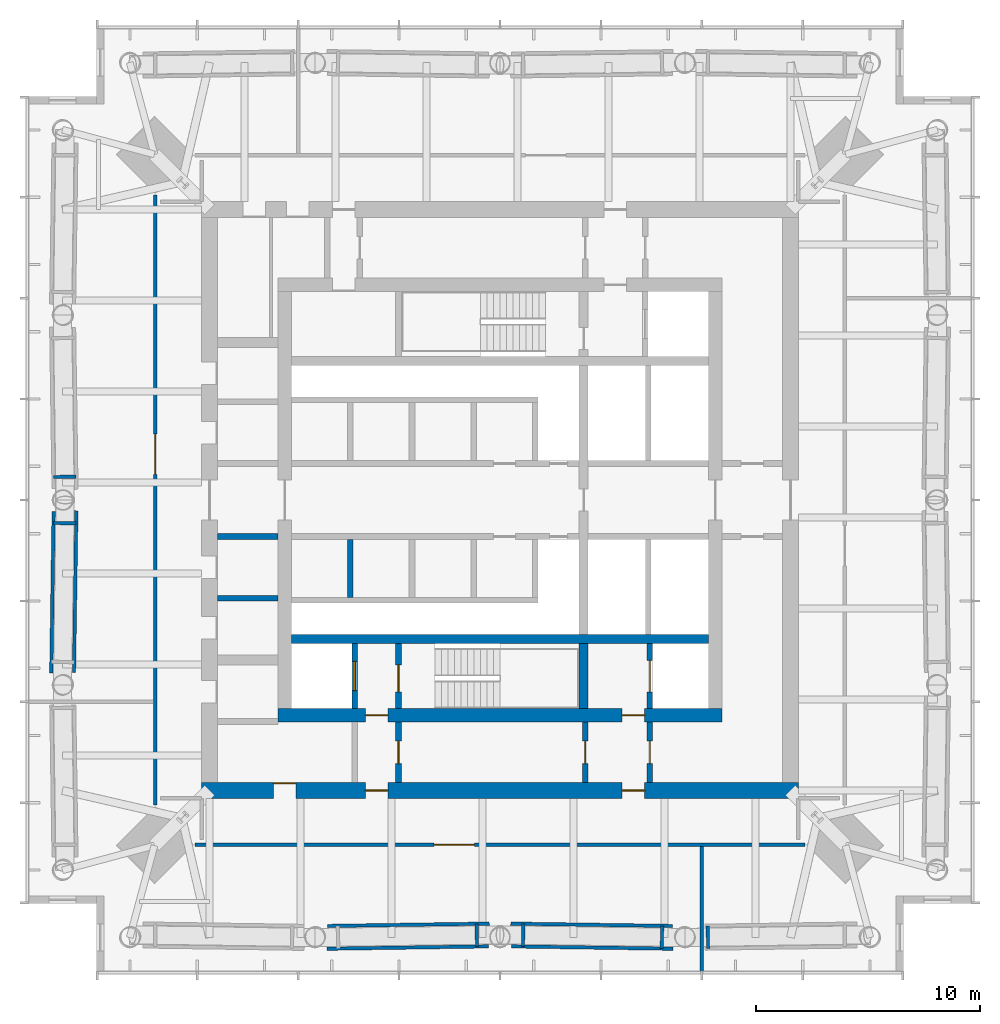
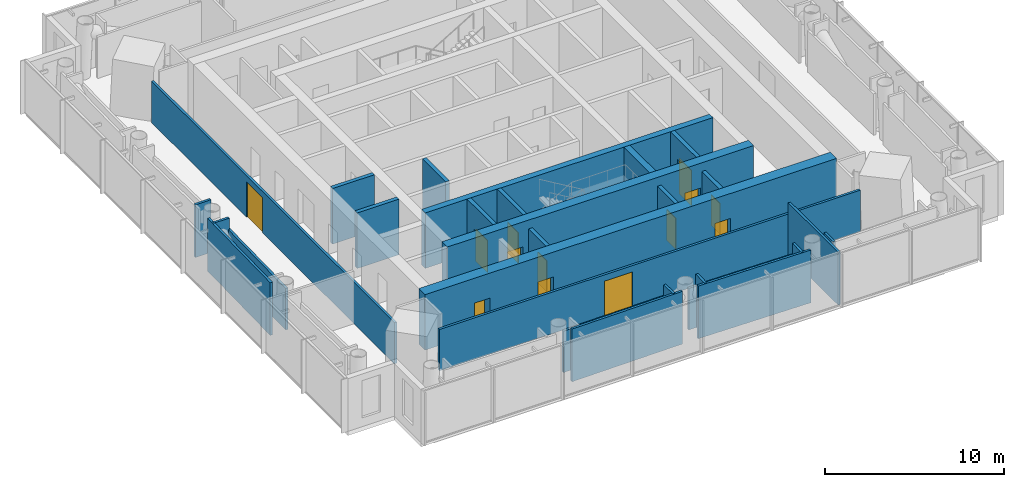
# One storey, part 5 of 9: 28 walls, 13 doors, 13 openings.
"""IFC4 building model written with IfcOpenShell, lengths in metres."""

from ifc_helpers import new_model, si_unit, direction, frame, frame_2d, origin, place, context, subcontext, project, spatial, rectangle, extrude, material, layer, layer_set, type_object, element, fill, save


model = new_model("IFC4")

# Units and contexts
model_context = context("Model", 3, precision=1e-05, world=origin(), true_north=direction((0.0, 1.0)))
body_context = subcontext(model_context, "Body", "Model", "MODEL_VIEW")
ifc_project = project(units=[si_unit("LENGTHUNIT", "METRE"), si_unit("AREAUNIT", "SQUARE_METRE"), si_unit("VOLUMEUNIT", "CUBIC_METRE"), si_unit("PLANEANGLEUNIT", "RADIAN"), si_unit("MASSUNIT", "GRAM", prefix="KILO")], contexts=[model_context])

# Site, building, storey
site_placement = place(None, origin())
site = spatial("IfcSite", under=ifc_project, at=site_placement, CompositionType="ELEMENT")
building_placement = place(site_placement, origin())
building = spatial("IfcBuilding", under=site, at=building_placement, Name="Ostroluk Exchange", CompositionType="ELEMENT")
storey_placement = place(building_placement, frame((0.0, 0.0, 161.60009765625)))
storey = spatial("IfcBuildingStorey", under=building, at=storey_placement, Name="L41", CompositionType="ELEMENT", Elevation=161.60009765625)

# Wall, opening, door
ifc_material_1 = material(Name="Concrete blockwork", Category="masonry")
ifc_layer_1 = layer(ifc_material_1, 0.25)
ifc_layer_set_1 = layer_set([ifc_layer_1], Name="Blockwork stair enclosure wall 250")
wall_type_1 = type_object("IfcWallType", Name="Blockwork stair enclosure wall 250", PredefinedType="SOLIDWALL", material=ifc_layer_set_1)
wall_1_placement = place(storey_placement, frame((40.47509765625, 33.39990234375, 0.0), z_axis=(0.0, 0.0, 1.0), x_axis=(0.0, 1.0, 0.0)))
wall_1 = element("IfcWall", 1, at=wall_1_placement, inside=storey, type_object=wall_type_1, Name="Fire lobby enclosure wall", PredefinedType="SOLIDWALL", context=body_context, shape_type="SweptSolid", body=[
    extrude(rectangle(XDim=2.7001953125, YDim=0.25, at=frame_2d((1.35009765625, 0.0))), origin(), (0.0, 0.0, 1.0), 3.199951171875),
])
opening_1_placement = place(wall_1_placement, frame((0.85009765625, 0.0, 0.0)))
opening_1 = element("IfcOpeningElement", 2, at=opening_1_placement, cuts=wall_1, Name="Opening FD60", PredefinedType="OPENING", context=body_context, shape_type="SweptSolid", body=[
    extrude(rectangle(XDim=1.0, YDim=2.10009765625, at=frame_2d((0.5, 1.050048828125))), frame((0.0, 0.135009765625, 0.0), z_axis=(0.0, -1.0, 0.0), x_axis=(1.0, 0.0, 0.0)), (0.0, 0.0, 1.0), 0.27001953125),
])
ifc_material_2 = material(Name="Steel", Category="steel")
door_type_1 = type_object("IfcDoorType", Name="Fire door EI 60 1000 x 2100", OperationType="SINGLE_SWING_LEFT", PredefinedType="DOOR", material=ifc_material_2)
door_1_placement = place(opening_1_placement, origin())
door_1 = element("IfcDoor", 3, at=door_1_placement, inside=storey, type_object=door_type_1, Name="Core link door", OperationType="SINGLE_SWING_LEFT", OverallHeight=2.10009765625, OverallWidth=1.0, PredefinedType="DOOR", context=body_context, shape_type="SweptSolid", body=[
    extrude(rectangle(XDim=1.0, YDim=2.10009765625, at=frame_2d((0.5, 1.050048828125))), frame((0.0, 0.02490234375, 0.0), z_axis=(0.0, -1.0, 0.0), x_axis=(1.0, 0.0, 0.0)), (0.0, 0.0, 1.0), 0.050048828125),
])
fill(opening_1, door_1)

wall_2_placement = place(storey_placement, frame((48.804931640625, 33.39990234375, 0.0), z_axis=(0.0, 0.0, 1.0), x_axis=(0.0, 1.0, 0.0)))
wall_2 = element("IfcWall", 4, at=wall_2_placement, inside=storey, type_object=wall_type_1, Name="Service lobby enclosure wall", PredefinedType="SOLIDWALL", context=body_context, shape_type="SweptSolid", body=[
    extrude(rectangle(XDim=2.7001953125, YDim=0.25, at=frame_2d((1.35009765625, 0.0))), origin(), (0.0, 0.0, 1.0), 3.199951171875),
])
opening_2_placement = place(wall_2_placement, frame((0.85009765625, 0.0, 0.0)))
opening_2 = element("IfcOpeningElement", 5, at=opening_2_placement, cuts=wall_2, Name="Opening FD60", PredefinedType="OPENING", context=body_context, shape_type="SweptSolid", body=[
    extrude(rectangle(XDim=1.0, YDim=2.10009765625, at=frame_2d((0.5, 1.050048828125))), frame((0.0, 0.135009765625, 0.0), z_axis=(0.0, -1.0, 0.0), x_axis=(1.0, 0.0, 0.0)), (0.0, 0.0, 1.0), 0.27001953125),
])
door_2_placement = place(opening_2_placement, origin())
door_2 = element("IfcDoor", 6, at=door_2_placement, inside=storey, type_object=door_type_1, Name="Core link door", OperationType="SINGLE_SWING_LEFT", OverallHeight=2.10009765625, OverallWidth=1.0, PredefinedType="DOOR", context=body_context, shape_type="SweptSolid", body=[
    extrude(rectangle(XDim=1.0, YDim=2.10009765625, at=frame_2d((0.5, 1.050048828125))), frame((0.0, 0.02490234375, 0.0), z_axis=(0.0, -1.0, 0.0), x_axis=(1.0, 0.0, 0.0)), (0.0, 0.0, 1.0), 0.050048828125),
])
fill(opening_2, door_2)

wall_3_placement = place(storey_placement, frame((51.675048828125, 33.39990234375, 0.0), z_axis=(0.0, 0.0, 1.0), x_axis=(0.0, 1.0, 0.0)))
wall_3 = element("IfcWall", 7, at=wall_3_placement, inside=storey, type_object=wall_type_1, Name="Service lobby enclosure wall", PredefinedType="SOLIDWALL", context=body_context, shape_type="SweptSolid", body=[
    extrude(rectangle(XDim=2.7001953125, YDim=0.25, at=frame_2d((1.35009765625, 0.0))), origin(), (0.0, 0.0, 1.0), 3.199951171875),
])
opening_3_placement = place(wall_3_placement, frame((0.85009765625, 0.0, 0.0)))
opening_3 = element("IfcOpeningElement", 8, at=opening_3_placement, cuts=wall_3, Name="Opening FD60", PredefinedType="OPENING", context=body_context, shape_type="SweptSolid", body=[
    extrude(rectangle(XDim=1.0, YDim=2.10009765625, at=frame_2d((0.5, 1.050048828125))), frame((0.0, 0.135009765625, 0.0), z_axis=(0.0, -1.0, 0.0), x_axis=(1.0, 0.0, 0.0)), (0.0, 0.0, 1.0), 0.27001953125),
])
door_3_placement = place(opening_3_placement, origin())
door_3 = element("IfcDoor", 9, at=door_3_placement, inside=storey, type_object=door_type_1, Name="Core link door", OperationType="SINGLE_SWING_LEFT", OverallHeight=2.10009765625, OverallWidth=1.0, PredefinedType="DOOR", context=body_context, shape_type="SweptSolid", body=[
    extrude(rectangle(XDim=1.0, YDim=2.10009765625, at=frame_2d((0.5, 1.050048828125))), frame((0.0, 0.02490234375, 0.0), z_axis=(0.0, -1.0, 0.0), x_axis=(1.0, 0.0, 0.0)), (0.0, 0.0, 1.0), 0.050048828125),
])
fill(opening_3, door_3)

# Walls
ifc_material_3 = material(Name="Concrete C50/60", Category="concrete")
ifc_layer_2 = layer(ifc_material_3, 0.39990234375)
ifc_layer_set_2 = layer_set([ifc_layer_2], Name="Core cross wall 400 C50/60")
wall_type_2 = type_object("IfcWallType", Name="Core cross wall 400 C50/60", PredefinedType="SHEAR", material=ifc_layer_set_2)
wall_4_placement = place(storey_placement, frame((35.699951171875, 39.800048828125, 0.0), z_axis=(0.0, 0.0, 1.0), x_axis=(1.0, 0.0, 0.0)))
element("IfcWall", 10, at=wall_4_placement, inside=storey, type_object=wall_type_2, Name="T1 core wall XS", PredefinedType="SHEAR", context=body_context, shape_type="SweptSolid", body=[
    extrude(rectangle(XDim=18.60009765625, YDim=0.39990234375, at=frame_2d((9.300048828125, 0.0))), origin(), (0.0, 0.0, 1.0), 3.7998046875),
])
wall_5_placement = place(storey_placement, frame((48.72998046875, 36.699951171875, 0.0), z_axis=(0.0, 0.0, 1.0), x_axis=(0.0, 1.0, 0.0)))
element("IfcWall", 11, at=wall_5_placement, inside=storey, type_object=wall_type_2, Name="T1 core wall YE1", PredefinedType="SHEAR", context=body_context, shape_type="SweptSolid", body=[
    extrude(rectangle(XDim=2.900146484375, YDim=0.39990234375, at=frame_2d((1.4501953125, 0.0))), origin(), (0.0, 0.0, 1.0), 3.7998046875),
])

# Wall, opening, door
ifc_material_4 = material(Name="Concrete C40/50", Category="concrete")
ifc_layer_3 = layer(ifc_material_4, 0.25)
ifc_layer_set_3 = layer_set([ifc_layer_3], Name="Core shaft wall 250")
wall_type_3 = type_object("IfcWallType", Name="Core shaft wall 250", PredefinedType="SHEAR", material=ifc_layer_set_3)
wall_6_placement = place(storey_placement, frame((38.52490234375, 36.699951171875, 0.0), z_axis=(0.0, 0.0, 1.0), x_axis=(0.0, 1.0, 0.0)))
wall_6 = element("IfcWall", 12, at=wall_6_placement, inside=storey, type_object=wall_type_3, Name="Firefighting lift shaft wall", PredefinedType="SHEAR", context=body_context, shape_type="SweptSolid", body=[
    extrude(rectangle(XDim=2.900146484375, YDim=0.25, at=frame_2d((1.4501953125, 0.0))), origin(), (0.0, 0.0, 1.0), 3.7998046875),
])
opening_4_placement = place(wall_6_placement, frame((0.800048828125, 0.0, 0.0)))
opening_4 = element("IfcOpeningElement", 13, at=opening_4_placement, cuts=wall_6, Name="Opening LD2", PredefinedType="OPENING", context=body_context, shape_type="SweptSolid", body=[
    extrude(rectangle(XDim=1.300048828125, YDim=2.199951171875, at=frame_2d((0.64990234375, 1.10009765625))), frame((0.0, 0.135009765625, 0.0), z_axis=(0.0, -1.0, 0.0), x_axis=(1.0, 0.0, 0.0)), (0.0, 0.0, 1.0), 0.27001953125),
])
ifc_material_5 = material(Name="Stainless steel", Category="steel")
door_type_2 = type_object("IfcDoorType", Name="Lift landing door E 60 1300 x 2200", OperationType="DOUBLE_DOOR_SLIDING", PredefinedType="DOOR", material=ifc_material_5)
door_4_placement = place(opening_4_placement, origin())
door_4 = element("IfcDoor", 14, at=door_4_placement, inside=storey, type_object=door_type_2, Name="Lift FL1 landing door", OperationType="DOUBLE_DOOR_SLIDING", OverallHeight=2.199951171875, OverallWidth=1.300048828125, PredefinedType="DOOR", context=body_context, shape_type="SweptSolid", body=[
    extrude(rectangle(XDim=1.300048828125, YDim=2.199951171875, at=frame_2d((0.64990234375, 1.10009765625))), frame((0.0, 0.02490234375, 0.0), z_axis=(0.0, -1.0, 0.0), x_axis=(1.0, 0.0, 0.0)), (0.0, 0.0, 1.0), 0.050048828125),
])
fill(opening_4, door_4)

wall_7_placement = place(storey_placement, frame((40.47509765625, 36.699951171875, 0.0), z_axis=(0.0, 0.0, 1.0), x_axis=(0.0, 1.0, 0.0)))
wall_7 = element("IfcWall", 15, at=wall_7_placement, inside=storey, type_object=wall_type_3, Name="Stair shaft wall", PredefinedType="SHEAR", context=body_context, shape_type="SweptSolid", body=[
    extrude(rectangle(XDim=2.900146484375, YDim=0.25, at=frame_2d((1.4501953125, 0.0))), origin(), (0.0, 0.0, 1.0), 3.7998046875),
])
opening_5_placement = place(wall_7_placement, frame((0.75, 0.0, 0.0)))
opening_5 = element("IfcOpeningElement", 16, at=opening_5_placement, cuts=wall_7, Name="Opening FD60S", PredefinedType="OPENING", context=body_context, shape_type="SweptSolid", body=[
    extrude(rectangle(XDim=1.199951171875, YDim=2.10009765625, at=frame_2d((0.60009765625, 1.050048828125))), frame((0.0, 0.135009765625, 0.0), z_axis=(0.0, -1.0, 0.0), x_axis=(1.0, 0.0, 0.0)), (0.0, 0.0, 1.0), 0.27001953125),
])
ifc_material_6 = material(Name="Steel", Category="steel")
door_type_3 = type_object("IfcDoorType", Name="Stair door EI 60 1200 x 2100", OperationType="SINGLE_SWING_LEFT", PredefinedType="DOOR", material=ifc_material_6)
door_5_placement = place(opening_5_placement, origin())
door_5 = element("IfcDoor", 17, at=door_5_placement, inside=storey, type_object=door_type_3, Name="Stair T1-S1 door", OperationType="SINGLE_SWING_LEFT", OverallHeight=2.10009765625, OverallWidth=1.199951171875, PredefinedType="DOOR", context=body_context, shape_type="SweptSolid", body=[
    extrude(rectangle(XDim=1.199951171875, YDim=2.10009765625, at=frame_2d((0.60009765625, 1.050048828125))), frame((0.0, 0.02490234375, 0.0), z_axis=(0.0, -1.0, 0.0), x_axis=(1.0, 0.0, 0.0)), (0.0, 0.0, 1.0), 0.050048828125),
])
fill(opening_5, door_5)

wall_8_placement = place(storey_placement, frame((51.675048828125, 36.699951171875, 0.0), z_axis=(0.0, 0.0, 1.0), x_axis=(0.0, 1.0, 0.0)))
wall_8 = element("IfcWall", 18, at=wall_8_placement, inside=storey, type_object=wall_type_3, Name="Service lift shaft wall", PredefinedType="SHEAR", context=body_context, shape_type="SweptSolid", body=[
    extrude(rectangle(XDim=2.900146484375, YDim=0.25, at=frame_2d((1.4501953125, 0.0))), origin(), (0.0, 0.0, 1.0), 3.7998046875),
])
opening_6_placement = place(wall_8_placement, frame((0.75, 0.0, 0.0)))
opening_6 = element("IfcOpeningElement", 19, at=opening_6_placement, cuts=wall_8, Name="Opening LD3", PredefinedType="OPENING", context=body_context, shape_type="SweptSolid", body=[
    extrude(rectangle(XDim=1.39990234375, YDim=2.39990234375, at=frame_2d((0.699951171875, 1.199951171875))), frame((0.0, 0.135009765625, 0.0), z_axis=(0.0, -1.0, 0.0), x_axis=(1.0, 0.0, 0.0)), (0.0, 0.0, 1.0), 0.27001953125),
])
ifc_material_7 = material(Name="Stainless steel", Category="steel")
door_type_4 = type_object("IfcDoorType", Name="Goods lift landing door E 60 1400 x 2400", OperationType="DOUBLE_DOOR_SLIDING", PredefinedType="DOOR", material=ifc_material_7)
door_6_placement = place(opening_6_placement, origin())
door_6 = element("IfcDoor", 20, at=door_6_placement, inside=storey, type_object=door_type_4, Name="Lift SL1 landing door", OperationType="DOUBLE_DOOR_SLIDING", OverallHeight=2.39990234375, OverallWidth=1.39990234375, PredefinedType="DOOR", context=body_context, shape_type="SweptSolid", body=[
    extrude(rectangle(XDim=1.39990234375, YDim=2.39990234375, at=frame_2d((0.699951171875, 1.199951171875))), frame((0.0, 0.02490234375, 0.0), z_axis=(0.0, -1.0, 0.0), x_axis=(1.0, 0.0, 0.0)), (0.0, 0.0, 1.0), 0.050048828125),
])
fill(opening_6, door_6)

# Walls
wall_9_placement = place(storey_placement, frame((38.324951171875, 44.25, 0.0), z_axis=(0.0, 0.0, 1.0), x_axis=(0.0, -1.0, 0.0)))
element("IfcWall", 21, at=wall_9_placement, inside=storey, type_object=wall_type_3, Name="Lift shaft wall", PredefinedType="SHEAR", context=body_context, shape_type="SweptSolid", body=[
    extrude(rectangle(XDim=2.60009765625, YDim=0.25, at=frame_2d((1.300048828125, 0.0))), origin(), (0.0, 0.0, 1.0), 3.7998046875),
])
for number, where, z_axis, x_axis, name in (
    (22, (32.39990234375, 41.625, 0.0), (0.0, 0.0, 1.0), (1.0, 0.0, 0.0), "Lift shaft wall"),
    (23, (32.39990234375, 44.375, 0.0), (0.0, 0.0, 1.0), (1.0, 0.0, 0.0), "Lift shaft wall"),
):
    element("IfcWall", number, at=place(storey_placement, frame(where, z_axis=z_axis, x_axis=x_axis)), inside=storey, type_object=wall_type_3, Name=name, PredefinedType="SHEAR", context=body_context, shape_type="SweptSolid", body=[
        extrude(rectangle(XDim=2.7001953125, YDim=0.25, at=frame_2d((1.35009765625, 0.0))), origin(), (0.0, 0.0, 1.0), 3.7998046875),
    ])

# Wall, openings, doors
ifc_material_8 = material(Name="Concrete C50/60", Category="concrete")
ifc_layer_4 = layer(ifc_material_8, 0.60009765625)
ifc_layer_set_4 = layer_set([ifc_layer_4], Name="Core wall 600 C50/60")
wall_type_4 = type_object("IfcWallType", Name="Core wall 600 C50/60", PredefinedType="SHEAR", material=ifc_layer_set_4)
wall_10_placement = place(storey_placement, frame((35.10009765625, 36.39990234375, 0.0), z_axis=(0.0, 0.0, 1.0), x_axis=(1.0, 0.0, 0.0)))
wall_10 = element("IfcWall", 24, at=wall_10_placement, inside=storey, type_object=wall_type_4, Name="T1 core wall S", PredefinedType="SHEAR", context=body_context, shape_type="SweptSolid", body=[
    extrude(rectangle(XDim=19.7998046875, YDim=0.60009765625, at=frame_2d((9.89990234375, 0.0))), origin(), (0.0, 0.0, 1.0), 3.7998046875),
])
opening_7_placement = place(wall_10_placement, frame((3.89990234375, 0.0, 0.0)))
opening_7 = element("IfcOpeningElement", 25, at=opening_7_placement, cuts=wall_10, Name="Opening FD60", PredefinedType="OPENING", context=body_context, shape_type="SweptSolid", body=[
    extrude(rectangle(XDim=1.0, YDim=2.10009765625, at=frame_2d((0.5, 1.050048828125))), frame((0.0, 0.31005859375, 0.0), z_axis=(0.0, -1.0, 0.0), x_axis=(1.0, 0.0, 0.0)), (0.0, 0.0, 1.0), 0.6201171875),
])
opening_8_placement = place(wall_10_placement, frame((15.35009765625, 0.0, 0.0)))
opening_8 = element("IfcOpeningElement", 26, at=opening_8_placement, cuts=wall_10, Name="Opening FD60", PredefinedType="OPENING", context=body_context, shape_type="SweptSolid", body=[
    extrude(rectangle(XDim=1.0, YDim=2.10009765625, at=frame_2d((0.5, 1.050048828125))), frame((0.0, 0.31005859375, 0.0), z_axis=(0.0, -1.0, 0.0), x_axis=(1.0, 0.0, 0.0)), (0.0, 0.0, 1.0), 0.6201171875),
])
door_7_placement = place(opening_7_placement, origin())
door_7 = element("IfcDoor", 27, at=door_7_placement, inside=storey, type_object=door_type_1, Name="Firefighting lobby door", OperationType="SINGLE_SWING_LEFT", OverallHeight=2.10009765625, OverallWidth=1.0, PredefinedType="DOOR", context=body_context, shape_type="SweptSolid", body=[
    extrude(rectangle(XDim=1.0, YDim=2.10009765625, at=frame_2d((0.5, 1.050048828125))), frame((0.0, 0.02490234375, 0.0), z_axis=(0.0, -1.0, 0.0), x_axis=(1.0, 0.0, 0.0)), (0.0, 0.0, 1.0), 0.050048828125),
])
fill(opening_7, door_7)
door_8_placement = place(opening_8_placement, origin())
door_8 = element("IfcDoor", 28, at=door_8_placement, inside=storey, type_object=door_type_1, Name="Service lobby door", OperationType="SINGLE_SWING_RIGHT", OverallHeight=2.10009765625, OverallWidth=1.0, PredefinedType="DOOR", context=body_context, shape_type="SweptSolid", body=[
    extrude(rectangle(XDim=1.0, YDim=2.10009765625, at=frame_2d((0.5, 1.050048828125))), frame((0.0, 0.02490234375, 0.0), z_axis=(0.0, -1.0, 0.0), x_axis=(1.0, 0.0, 0.0)), (0.0, 0.0, 1.0), 0.050048828125),
])
fill(opening_8, door_8)

ifc_material_9 = material(Name="Concrete C50/60", Category="concrete")
ifc_layer_5 = layer(ifc_material_9, 0.699951171875)
ifc_layer_set_5 = layer_set([ifc_layer_5], Name="Core wall 700 C50/60")
wall_type_5 = type_object("IfcWallType", Name="Core wall 700 C50/60", PredefinedType="SHEAR", material=ifc_layer_set_5)
wall_11_placement = place(storey_placement, frame((31.699951171875, 33.050048828125, 0.0), z_axis=(0.0, 0.0, 1.0), x_axis=(1.0, 0.0, 0.0)))
wall_11 = element("IfcWall", 29, at=wall_11_placement, inside=storey, type_object=wall_type_5, Name="T1 core wall RS", PredefinedType="SHEAR", context=body_context, shape_type="SweptSolid", body=[
    extrude(rectangle(XDim=26.60009765625, YDim=0.699951171875, at=frame_2d((13.300048828125, 0.0))), origin(), (0.0, 0.0, 1.0), 3.7998046875),
])
opening_9_placement = place(wall_11_placement, frame((7.300048828125, 0.0, 0.0)))
opening_9 = element("IfcOpeningElement", 30, at=opening_9_placement, cuts=wall_11, Name="Opening FD60", PredefinedType="OPENING", context=body_context, shape_type="SweptSolid", body=[
    extrude(rectangle(XDim=1.0, YDim=2.10009765625, at=frame_2d((0.5, 1.050048828125))), frame((0.0, 0.35986328125, 0.0), z_axis=(0.0, -1.0, 0.0), x_axis=(1.0, 0.0, 0.0)), (0.0, 0.0, 1.0), 0.719970703125),
])
opening_10_placement = place(wall_11_placement, frame((18.75, 0.0, 0.0)))
opening_10 = element("IfcOpeningElement", 31, at=opening_10_placement, cuts=wall_11, Name="Opening FD60", PredefinedType="OPENING", context=body_context, shape_type="SweptSolid", body=[
    extrude(rectangle(XDim=1.0, YDim=2.10009765625, at=frame_2d((0.5, 1.050048828125))), frame((0.0, 0.35986328125, 0.0), z_axis=(0.0, -1.0, 0.0), x_axis=(1.0, 0.0, 0.0)), (0.0, 0.0, 1.0), 0.719970703125),
])
opening_11_placement = place(wall_11_placement, frame((3.199951171875, 0.0, 0.0)))
opening_11 = element("IfcOpeningElement", 32, at=opening_11_placement, cuts=wall_11, Name="Opening FD60", PredefinedType="OPENING", context=body_context, shape_type="SweptSolid", body=[
    extrude(rectangle(XDim=1.0, YDim=2.10009765625, at=frame_2d((0.5, 1.050048828125))), frame((0.0, 0.35986328125, 0.0), z_axis=(0.0, -1.0, 0.0), x_axis=(1.0, 0.0, 0.0)), (0.0, 0.0, 1.0), 0.719970703125),
])
door_9_placement = place(opening_9_placement, origin())
door_9 = element("IfcDoor", 33, at=door_9_placement, inside=storey, type_object=door_type_1, Name="Firefighting lobby door", OperationType="SINGLE_SWING_LEFT", OverallHeight=2.10009765625, OverallWidth=1.0, PredefinedType="DOOR", context=body_context, shape_type="SweptSolid", body=[
    extrude(rectangle(XDim=1.0, YDim=2.10009765625, at=frame_2d((0.5, 1.050048828125))), frame((0.0, 0.02490234375, 0.0), z_axis=(0.0, -1.0, 0.0), x_axis=(1.0, 0.0, 0.0)), (0.0, 0.0, 1.0), 0.050048828125),
])
fill(opening_9, door_9)
door_10_placement = place(opening_10_placement, origin())
door_10 = element("IfcDoor", 34, at=door_10_placement, inside=storey, type_object=door_type_1, Name="Service lobby door", OperationType="SINGLE_SWING_RIGHT", OverallHeight=2.10009765625, OverallWidth=1.0, PredefinedType="DOOR", context=body_context, shape_type="SweptSolid", body=[
    extrude(rectangle(XDim=1.0, YDim=2.10009765625, at=frame_2d((0.5, 1.050048828125))), frame((0.0, 0.02490234375, 0.0), z_axis=(0.0, -1.0, 0.0), x_axis=(1.0, 0.0, 0.0)), (0.0, 0.0, 1.0), 0.050048828125),
])
fill(opening_10, door_10)
door_11_placement = place(opening_11_placement, origin())
door_11 = element("IfcDoor", 35, at=door_11_placement, inside=storey, type_object=door_type_1, Name="Plant control room door", OperationType="SINGLE_SWING_LEFT", OverallHeight=2.10009765625, OverallWidth=1.0, PredefinedType="DOOR", context=body_context, shape_type="SweptSolid", body=[
    extrude(rectangle(XDim=1.0, YDim=2.10009765625, at=frame_2d((0.5, 1.050048828125))), frame((0.0, 0.33984375, 0.0), z_axis=(0.0, -1.0, 0.0), x_axis=(1.0, 0.0, 0.0)), (0.0, 0.0, 1.0), 0.050048828125),
])
fill(opening_11, door_11)

# Wall, opening, door
ifc_material_10 = material(Name="Gypsum plasterboard partition", Category="gypsum")
ifc_layer_6 = layer(ifc_material_10, 0.14990234375)
ifc_layer_set_6 = layer_set([ifc_layer_6], Name="Plasterboard partition 150")
wall_type_6 = type_object("IfcWallType", Name="Plasterboard partition 150", PredefinedType="PARTITIONING", material=ifc_layer_set_6)
wall_12_placement = place(storey_placement, frame((29.625, 59.60302734375, 0.0), z_axis=(0.0, 0.0, 1.0), x_axis=(0.0, -1.0, 0.0)))
wall_12 = element("IfcWall", 36, at=wall_12_placement, inside=storey, type_object=wall_type_6, Name="Partition", PredefinedType="PARTITIONING", context=body_context, shape_type="SweptSolid", body=[
    extrude(rectangle(XDim=27.2060546875, YDim=0.14990234375, at=frame_2d((13.60302734375, 0.0))), origin(), (0.0, 0.0, 1.0), 2.829833984375),
])
opening_12_placement = place(wall_12_placement, frame((10.66552734375, 0.0, 0.0)))
opening_12 = element("IfcOpeningElement", 37, at=opening_12_placement, cuts=wall_12, Name="Opening D-04", PredefinedType="OPENING", context=body_context, shape_type="SweptSolid", body=[
    extrude(rectangle(XDim=1.800048828125, YDim=2.39990234375, at=frame_2d((0.89990234375, 1.199951171875))), frame((0.0, 0.0849609375, 0.0), z_axis=(0.0, -1.0, 0.0), x_axis=(1.0, 0.0, 0.0)), (0.0, 0.0, 1.0), 0.169921875),
])
ifc_material_11 = material(Name="Timber", Category="wood")
door_type_5 = type_object("IfcDoorType", Name="Double door 1800 x 2400", OperationType="DOUBLE_DOOR_SINGLE_SWING", PredefinedType="DOOR", material=ifc_material_11)
door_12_placement = place(opening_12_placement, origin())
door_12 = element("IfcDoor", 38, at=door_12_placement, inside=storey, type_object=door_type_5, Name="Refuge area door", OperationType="DOUBLE_DOOR_SINGLE_SWING", OverallHeight=2.39990234375, OverallWidth=1.800048828125, PredefinedType="DOOR", context=body_context, shape_type="SweptSolid", body=[
    extrude(rectangle(XDim=1.800048828125, YDim=2.39990234375, at=frame_2d((0.89990234375, 1.199951171875))), frame((0.0, 0.02490234375, 0.0), z_axis=(0.0, -1.0, 0.0), x_axis=(1.0, 0.0, 0.0)), (0.0, 0.0, 1.0), 0.050048828125),
])
fill(opening_12, door_12)

wall_13_placement = place(storey_placement, frame((31.39697265625, 30.625, 0.0), z_axis=(0.0, 0.0, 1.0), x_axis=(1.0, 0.0, 0.0)))
wall_13 = element("IfcWall", 39, at=wall_13_placement, inside=storey, type_object=wall_type_6, Name="Partition", PredefinedType="PARTITIONING", context=body_context, shape_type="SweptSolid", body=[
    extrude(rectangle(XDim=27.2060546875, YDim=0.14990234375, at=frame_2d((13.60302734375, 0.0))), origin(), (0.0, 0.0, 1.0), 2.829833984375),
])
opening_13_placement = place(wall_13_placement, frame((10.66552734375, 0.0, 0.0)))
opening_13 = element("IfcOpeningElement", 40, at=opening_13_placement, cuts=wall_13, Name="Opening D-04", PredefinedType="OPENING", context=body_context, shape_type="SweptSolid", body=[
    extrude(rectangle(XDim=1.800048828125, YDim=2.39990234375, at=frame_2d((0.89990234375, 1.199951171875))), frame((0.0, 0.0849609375, 0.0), z_axis=(0.0, -1.0, 0.0), x_axis=(1.0, 0.0, 0.0)), (0.0, 0.0, 1.0), 0.169921875),
])
door_13_placement = place(opening_13_placement, origin())
door_13 = element("IfcDoor", 41, at=door_13_placement, inside=storey, type_object=door_type_5, Name="Refuge area door", OperationType="DOUBLE_DOOR_SINGLE_SWING", OverallHeight=2.39990234375, OverallWidth=1.800048828125, PredefinedType="DOOR", context=body_context, shape_type="SweptSolid", body=[
    extrude(rectangle(XDim=1.800048828125, YDim=2.39990234375, at=frame_2d((0.89990234375, 1.199951171875))), frame((0.0, 0.02490234375, 0.0), z_axis=(0.0, -1.0, 0.0), x_axis=(1.0, 0.0, 0.0)), (0.0, 0.0, 1.0), 0.050048828125),
])
fill(opening_13, door_13)

# Walls
wall_14_placement = place(storey_placement, frame((54.0, 30.550048828125, 0.0), z_axis=(0.0, 0.0, 1.0), x_axis=(0.0, -1.0, 0.0)))
element("IfcWall", 42, at=wall_14_placement, inside=storey, type_object=wall_type_6, Name="Partition", PredefinedType="PARTITIONING", context=body_context, shape_type="SweptSolid", body=[
    extrude(rectangle(XDim=5.590087890625, YDim=0.14990234375, at=frame_2d((2.794921875, 0.0))), origin(), (0.0, 0.0, 1.0), 3.599853515625),
])
wall_15_placement = place(storey_placement, frame((44.49560546875, 26.100341796875, 0.0), z_axis=(0.0, 0.0, 1.0), x_axis=(-0.999891703097, -0.014716727824, 0.0)))
element("IfcWall", 43, at=wall_15_placement, inside=storey, type_object=wall_type_6, Name="Partition", PredefinedType="PARTITIONING", context=body_context, shape_type="SweptSolid", body=[
    extrude(rectangle(XDim=7.21630859375, YDim=0.14990234375, at=frame_2d((3.608154296875, 0.0))), origin(), (0.0, 0.0, 1.0), 3.599853515625),
])
wall_16_placement = place(storey_placement, frame((37.310791015625, 27.0078125, 0.0), z_axis=(0.0, 0.0, 1.0), x_axis=(0.999892032411, 0.014694336383, 0.0)))
element("IfcWall", 44, at=wall_16_placement, inside=storey, type_object=wall_type_6, Name="Partition", PredefinedType="PARTITIONING", context=body_context, shape_type="SweptSolid", body=[
    extrude(rectangle(XDim=7.210693359375, YDim=0.14990234375, at=frame_2d((3.60546875, 0.0))), origin(), (0.0, 0.0, 1.0), 2.829833984375),
])
wall_17_placement = place(storey_placement, frame((43.9609375, 27.10546875, 0.0), z_axis=(0.0, 0.0, 1.0), x_axis=(0.014704292442, -0.999891886048, 0.0)))
element("IfcWall", 45, at=wall_17_placement, inside=storey, type_object=wall_type_6, Name="Partition", PredefinedType="PARTITIONING", context=body_context, shape_type="SweptSolid", body=[
    extrude(rectangle(XDim=1.0126953125, YDim=0.14990234375, at=frame_2d((0.50634765625, 0.0))), origin(), (0.0, 0.0, 1.0), 3.599853515625),
])
wall_18_placement = place(storey_placement, frame((24.994140625, 38.280029296875, 0.0), z_axis=(0.0, 0.0, 1.0), x_axis=(0.014716727824, 0.999891703097, 0.0)))
element("IfcWall", 46, at=wall_18_placement, inside=storey, type_object=wall_type_6, Name="Partition", PredefinedType="PARTITIONING", context=body_context, shape_type="SweptSolid", body=[
    extrude(rectangle(XDim=7.21630859375, YDim=0.14990234375, at=frame_2d((3.608154296875, 0.0))), origin(), (0.0, 0.0, 1.0), 3.599853515625),
])
wall_19_placement = place(storey_placement, frame((25.0927734375, 44.975830078125, 0.0), z_axis=(0.0, 0.0, 1.0), x_axis=(0.999891886048, -0.014704292442, 0.0)))
element("IfcWall", 47, at=wall_19_placement, inside=storey, type_object=wall_type_6, Name="Partition", PredefinedType="PARTITIONING", context=body_context, shape_type="SweptSolid", body=[
    extrude(rectangle(XDim=1.0126953125, YDim=0.14990234375, at=frame_2d((0.50634765625, 0.0))), origin(), (0.0, 0.0, 1.0), 3.599853515625),
])
wall_20_placement = place(storey_placement, frame((26.11376953125, 45.520751953125, 0.0), z_axis=(0.0, 0.0, 1.0), x_axis=(-0.014694336383, -0.999892032411, 0.0)))
element("IfcWall", 48, at=wall_20_placement, inside=storey, type_object=wall_type_6, Name="Partition", PredefinedType="PARTITIONING", context=body_context, shape_type="SweptSolid", body=[
    extrude(rectangle(XDim=7.210693359375, YDim=0.14990234375, at=frame_2d((3.60546875, 0.0))), origin(), (0.0, 0.0, 1.0), 2.829833984375),
])
for number, where, z_axis, x_axis, name in (
    (49, (26.10546875, 47.0390625, 0.0), (0.0, 0.0, 1.0), (-0.999891886048, -0.014704292442, 0.0), "Partition"),
    (50, (54.277587890625, 26.001708984375, 0.0), (0.0, 0.0, 1.0), (-0.014945293008, 0.999888312871, 0.0), "Partition"),
):
    element("IfcWall", number, at=place(storey_placement, frame(where, z_axis=z_axis, x_axis=x_axis)), inside=storey, type_object=wall_type_6, Name=name, PredefinedType="PARTITIONING", context=body_context, shape_type="SweptSolid", body=[
        extrude(rectangle(XDim=1.0126953125, YDim=0.14990234375, at=frame_2d((0.50634765625, 0.0))), origin(), (0.0, 0.0, 1.0), 3.599853515625),
    ])
wall_21_placement = place(storey_placement, frame((45.479248046875, 27.11376953125, 0.0), z_axis=(0.0, 0.0, 1.0), x_axis=(0.999892032411, -0.014694336383, 0.0)))
element("IfcWall", 51, at=wall_21_placement, inside=storey, type_object=wall_type_6, Name="Partition", PredefinedType="PARTITIONING", context=body_context, shape_type="SweptSolid", body=[
    extrude(rectangle(XDim=7.210693359375, YDim=0.14990234375, at=frame_2d((3.60546875, 0.0))), origin(), (0.0, 0.0, 1.0), 2.829833984375),
])
wall_22_placement = place(storey_placement, frame((52.229248046875, 27.014404296875, 0.0), z_axis=(0.0, 0.0, 1.0), x_axis=(-0.014704292442, -0.999891886048, 0.0)))
element("IfcWall", 52, at=wall_22_placement, inside=storey, type_object=wall_type_6, Name="Partition", PredefinedType="PARTITIONING", context=body_context, shape_type="SweptSolid", body=[
    extrude(rectangle(XDim=1.0126953125, YDim=0.14990234375, at=frame_2d((0.50634765625, 0.0))), origin(), (0.0, 0.0, 1.0), 3.599853515625),
])
wall_23_placement = place(storey_placement, frame((52.719970703125, 25.994140625, 0.0), z_axis=(0.0, 0.0, 1.0), x_axis=(-0.999891703097, 0.014716727824, 0.0)))
element("IfcWall", 53, at=wall_23_placement, inside=storey, type_object=wall_type_6, Name="Partition", PredefinedType="PARTITIONING", context=body_context, shape_type="SweptSolid", body=[
    extrude(rectangle(XDim=7.21630859375, YDim=0.14990234375, at=frame_2d((3.608154296875, 0.0))), origin(), (0.0, 0.0, 1.0), 3.599853515625),
])
wall_24_placement = place(storey_placement, frame((46.024169921875, 26.0927734375, 0.0), z_axis=(0.0, 0.0, 1.0), x_axis=(0.014704292442, 0.999891886048, 0.0)))
element("IfcWall", 54, at=wall_24_placement, inside=storey, type_object=wall_type_6, Name="Partition", PredefinedType="PARTITIONING", context=body_context, shape_type="SweptSolid", body=[
    extrude(rectangle(XDim=1.0126953125, YDim=0.14990234375, at=frame_2d((0.50634765625, 0.0))), origin(), (0.0, 0.0, 1.0), 3.599853515625),
])

save(model, "model.ifc")
